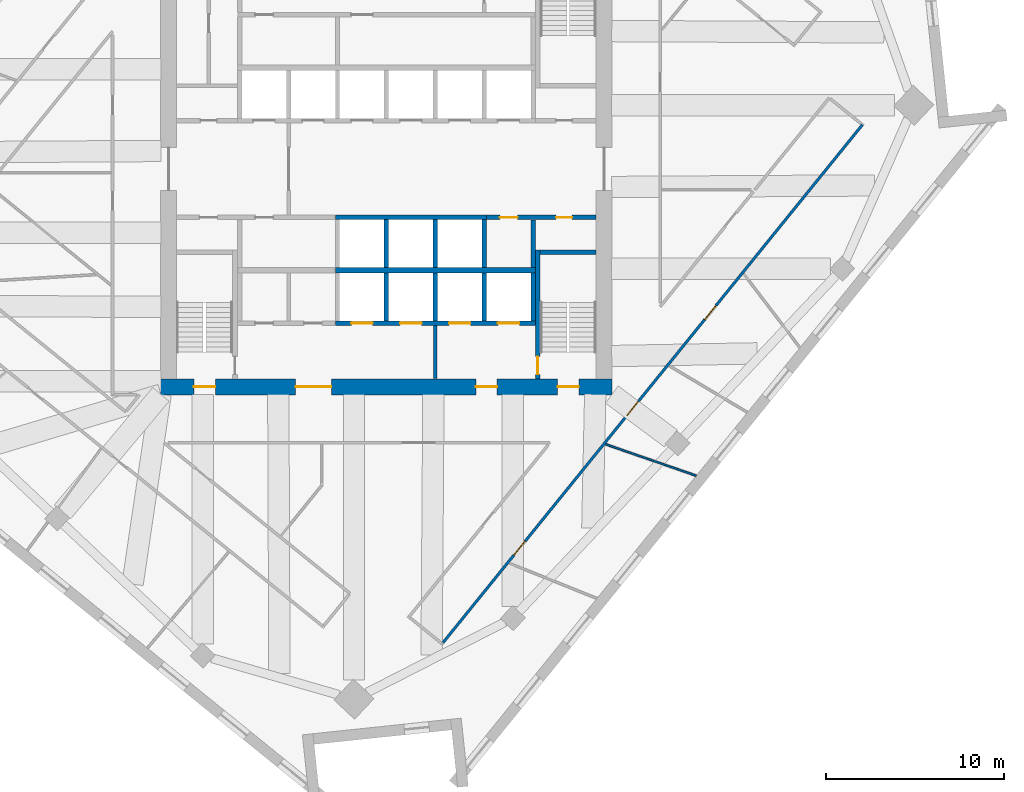
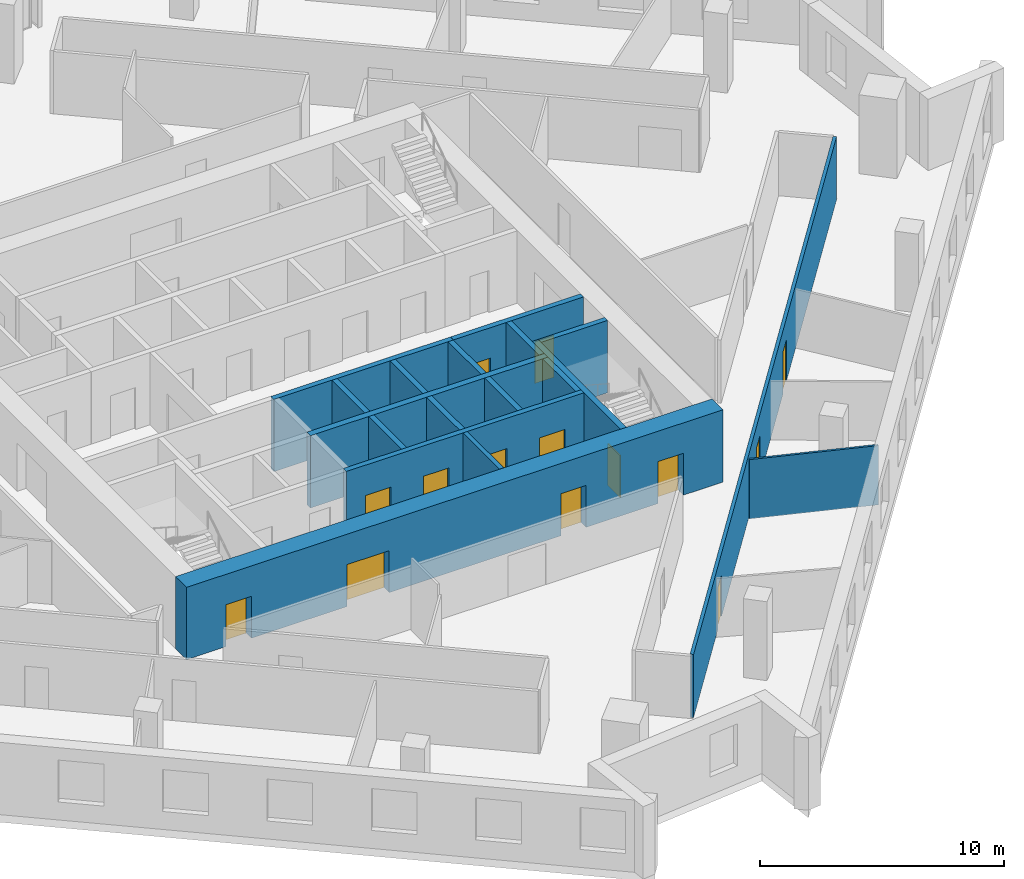
# One storey, part 8 of 14: 18 walls, 14 doors, 14 openings.
"""IFC4 building model written with IfcOpenShell, lengths in metres."""

from ifc_helpers import new_model, si_unit, direction, frame, frame_2d, origin, place, context, subcontext, project, spatial, rectangle, extrude, material, layer, layer_set, type_object, element, fill, save


model = new_model("IFC4")

# Units and contexts
model_context = context("Model", 3, precision=1e-05, world=origin(), true_north=direction((0.0, 1.0)))
body_context = subcontext(model_context, "Body", "Model", "MODEL_VIEW")
ifc_project = project(units=[si_unit("LENGTHUNIT", "METRE"), si_unit("AREAUNIT", "SQUARE_METRE"), si_unit("VOLUMEUNIT", "CUBIC_METRE"), si_unit("PLANEANGLEUNIT", "RADIAN"), si_unit("MASSUNIT", "GRAM", prefix="KILO")], contexts=[model_context])

# Site, building, storey
site_placement = place(None, origin())
site = spatial("IfcSite", under=ifc_project, at=site_placement, CompositionType="ELEMENT")
building_placement = place(site_placement, origin())
building = spatial("IfcBuilding", under=site, at=building_placement, Name="Dilmun Exchange Tower", CompositionType="ELEMENT")
storey_placement = place(building_placement, frame((0.0, 0.0, 225.300048828125)))
storey = spatial("IfcBuildingStorey", under=building, at=storey_placement, Name="L53", CompositionType="ELEMENT", Elevation=225.300048828125)

# Walls
ifc_material_1 = material(Name="Concrete C40/50", Category="concrete")
ifc_layer_1 = layer(ifc_material_1, 0.199951171875)
ifc_layer_set_1 = layer_set([ifc_layer_1], Name="Concrete C40/50")
wall_type_1 = type_object("IfcWallType", Name="Core partition wall 200", PredefinedType="PARTITIONING", material=ifc_layer_set_1)
wall_1_placement = place(storey_placement, frame((2.75, -11.794921875, 0.0), z_axis=(0.0, 0.0, 1.0), x_axis=(0.0, 1.0, 0.0)))
element("IfcWall", 1, at=wall_1_placement, inside=storey, type_object=wall_type_1, Name="L53 core partition wall 01", PredefinedType="PARTITIONING", context=body_context, shape_type="SweptSolid", body=[
    extrude(rectangle(XDim=2.989990234375, YDim=0.199951171875, at=frame_2d((1.4951171875, 0.0))), origin(), (0.0, 0.0, 1.0), 3.619873046875),
])
ifc_layer_2 = layer(ifc_material_1, 0.25)
ifc_layer_set_2 = layer_set([ifc_layer_2], Name="Concrete C40/50")
wall_type_2 = type_object("IfcWallType", Name="Core partition wall 250", PredefinedType="PARTITIONING", material=ifc_layer_set_2)
wall_2_placement = place(storey_placement, frame((8.25, -5.544921875, 0.0), z_axis=(0.0, 0.0, 1.0), x_axis=(0.0, 1.0, 0.0)))
element("IfcWall", 2, at=wall_2_placement, inside=storey, type_object=wall_type_2, Name="L53 core partition wall 07", PredefinedType="PARTITIONING", context=body_context, shape_type="SweptSolid", body=[
    extrude(rectangle(XDim=2.68994140625, YDim=0.25, at=frame_2d((1.344970703125, 0.0))), origin(), (0.0, 0.0, 1.0), 3.619873046875),
])

# Wall, openings, doors
wall_3_placement = place(storey_placement, frame((5.6298828125, -2.72509765625, 0.0), z_axis=(0.0, 0.0, 1.0), x_axis=(1.0, 0.0, 0.0)))
wall_3 = element("IfcWall", 3, at=wall_3_placement, inside=storey, type_object=wall_type_2, Name="L53 core partition wall 09", PredefinedType="PARTITIONING", context=body_context, shape_type="SweptSolid", body=[
    extrude(rectangle(XDim=6.1650390625, YDim=0.25, at=frame_2d((3.08251953125, 0.0))), origin(), (0.0, 0.0, 1.0), 3.619873046875),
])
opening_1_placement = place(wall_3_placement, frame((0.7451171875, 0.0, 0.0)))
opening_1 = element("IfcOpeningElement", 4, at=opening_1_placement, cuts=wall_3, Name="Opening CD4", PredefinedType="OPENING", context=body_context, shape_type="SweptSolid", body=[
    extrude(rectangle(XDim=1.0, YDim=2.10009765625, at=frame_2d((0.5, 1.050048828125))), frame((0.0, 0.135009765625, 0.0), z_axis=(0.0, -1.0, 0.0), x_axis=(1.0, 0.0, 0.0)), (0.0, 0.0, 1.0), 0.27001953125),
])
opening_2_placement = place(wall_3_placement, frame((3.919921875, 0.0, 0.0)))
opening_2 = element("IfcOpeningElement", 5, at=opening_2_placement, cuts=wall_3, Name="Opening CD6", PredefinedType="OPENING", context=body_context, shape_type="SweptSolid", body=[
    extrude(rectangle(XDim=0.89990234375, YDim=2.10009765625, at=frame_2d((0.449951171875, 1.050048828125))), frame((0.0, 0.135009765625, 0.0), z_axis=(0.0, -1.0, 0.0), x_axis=(1.0, 0.0, 0.0)), (0.0, 0.0, 1.0), 0.27001953125),
])
ifc_material_2 = material(Name="Fire-rated steel door set", Category="steel")
door_type_1 = type_object("IfcDoorType", Name="Core room door 1000x2100", OperationType="SINGLE_SWING_LEFT", PredefinedType="DOOR", material=ifc_material_2)
door_1_placement = place(opening_1_placement, origin())
door_1 = element("IfcDoor", 6, at=door_1_placement, inside=storey, type_object=door_type_1, Name="L53 door Cleaners' store", OperationType="SINGLE_SWING_RIGHT", OverallHeight=2.10009765625, OverallWidth=1.0, PredefinedType="DOOR", context=body_context, shape_type="SweptSolid", body=[
    extrude(rectangle(XDim=1.0, YDim=2.10009765625, at=frame_2d((0.5, 1.050048828125))), frame((0.0, 0.02490234375, 0.0), z_axis=(0.0, -1.0, 0.0), x_axis=(1.0, 0.0, 0.0)), (0.0, 0.0, 1.0), 0.050048828125),
])
fill(opening_1, door_1)
door_type_2 = type_object("IfcDoorType", Name="Core room door 900x2100", OperationType="SINGLE_SWING_LEFT", PredefinedType="DOOR", material=ifc_material_2)
door_2_placement = place(opening_2_placement, origin())
door_2 = element("IfcDoor", 7, at=door_2_placement, inside=storey, type_object=door_type_2, Name="L53 door Comms riser", OperationType="SINGLE_SWING_RIGHT", OverallHeight=2.10009765625, OverallWidth=0.89990234375, PredefinedType="DOOR", context=body_context, shape_type="SweptSolid", body=[
    extrude(rectangle(XDim=0.89990234375, YDim=2.10009765625, at=frame_2d((0.449951171875, 1.050048828125))), frame((0.0, 0.02490234375, 0.0), z_axis=(0.0, -1.0, 0.0), x_axis=(1.0, 0.0, 0.0)), (0.0, 0.0, 1.0), 0.050048828125),
])
fill(opening_2, door_2)

ifc_material_3 = material(Name="Concrete C60/75", Category="concrete")
ifc_layer_3 = layer(ifc_material_3, 0.89990234375)
ifc_layer_set_3 = layer_set([ifc_layer_3], Name="Concrete C60/75")
wall_type_3 = type_object("IfcWallType", Name="Core shear wall 900 Concrete C60/75", PredefinedType="SHEAR", material=ifc_layer_set_3)
wall_4_placement = place(storey_placement, frame((-12.699951171875, -12.25, 0.0), z_axis=(0.0, 0.0, 1.0), x_axis=(1.0, 0.0, 0.0)))
wall_4 = element("IfcWall", 8, at=wall_4_placement, inside=storey, type_object=wall_type_3, Name="L53 core shear wall S", PredefinedType="SHEAR", context=body_context, shape_type="SweptSolid", body=[
    extrude(rectangle(XDim=25.39990234375, YDim=0.89990234375, at=frame_2d((12.699951171875, 0.0))), origin(), (0.0, 0.0, 1.0), 3.619873046875),
])
opening_3_placement = place(wall_4_placement, frame((7.60009765625, 0.0, 0.0)))
opening_3 = element("IfcOpeningElement", 9, at=opening_3_placement, cuts=wall_4, Name="Opening CD2", PredefinedType="OPENING", context=body_context, shape_type="SweptSolid", body=[
    extrude(rectangle(XDim=2.0, YDim=2.10009765625, at=frame_2d((1.0, 1.050048828125))), frame((0.0, 0.4599609375, 0.0), z_axis=(0.0, -1.0, 0.0), x_axis=(1.0, 0.0, 0.0)), (0.0, 0.0, 1.0), 0.919921875),
])
opening_4_placement = place(wall_4_placement, frame((17.72509765625, 0.0, 0.0)))
opening_4 = element("IfcOpeningElement", 10, at=opening_4_placement, cuts=wall_4, Name="Opening CD3", PredefinedType="OPENING", context=body_context, shape_type="SweptSolid", body=[
    extrude(rectangle(XDim=1.199951171875, YDim=2.10009765625, at=frame_2d((0.60009765625, 1.050048828125))), frame((0.0, 0.4599609375, 0.0), z_axis=(0.0, -1.0, 0.0), x_axis=(1.0, 0.0, 0.0)), (0.0, 0.0, 1.0), 0.919921875),
])
opening_5_placement = place(wall_4_placement, frame((1.875, 0.0, 0.0)))
opening_5 = element("IfcOpeningElement", 11, at=opening_5_placement, cuts=wall_4, Name="Opening CD3", PredefinedType="OPENING", context=body_context, shape_type="SweptSolid", body=[
    extrude(rectangle(XDim=1.199951171875, YDim=2.10009765625, at=frame_2d((0.60009765625, 1.050048828125))), frame((0.0, 0.4599609375, 0.0), z_axis=(0.0, -1.0, 0.0), x_axis=(1.0, 0.0, 0.0)), (0.0, 0.0, 1.0), 0.919921875),
])
opening_6_placement = place(wall_4_placement, frame((22.324951171875, 0.0, 0.0)))
opening_6 = element("IfcOpeningElement", 12, at=opening_6_placement, cuts=wall_4, Name="Opening CD3", PredefinedType="OPENING", context=body_context, shape_type="SweptSolid", body=[
    extrude(rectangle(XDim=1.199951171875, YDim=2.10009765625, at=frame_2d((0.60009765625, 1.050048828125))), frame((0.0, 0.4599609375, 0.0), z_axis=(0.0, -1.0, 0.0), x_axis=(1.0, 0.0, 0.0)), (0.0, 0.0, 1.0), 0.919921875),
])
door_type_3 = type_object("IfcDoorType", Name="Core service door 2000x2100", OperationType="DOUBLE_DOOR_DOUBLE_SWING", PredefinedType="DOOR", material=ifc_material_2)
door_3_placement = place(opening_3_placement, origin())
door_3 = element("IfcDoor", 13, at=door_3_placement, inside=storey, type_object=door_type_3, Name="L53 door South service lobby", OperationType="SINGLE_SWING_LEFT", OverallHeight=2.10009765625, OverallWidth=2.0, PredefinedType="DOOR", context=body_context, shape_type="SweptSolid", body=[
    extrude(rectangle(XDim=2.0, YDim=2.10009765625, at=frame_2d((1.0, 1.050048828125))), frame((0.0, 0.02490234375, 0.0), z_axis=(0.0, -1.0, 0.0), x_axis=(1.0, 0.0, 0.0)), (0.0, 0.0, 1.0), 0.050048828125),
])
fill(opening_3, door_3)
door_type_4 = type_object("IfcDoorType", Name="Stair exit door 1200x2100", OperationType="SINGLE_SWING_LEFT", PredefinedType="DOOR", material=ifc_material_2)
door_4_placement = place(opening_4_placement, origin())
door_4 = element("IfcDoor", 14, at=door_4_placement, inside=storey, type_object=door_type_4, Name="L53 door Fire-fighting lobby", OperationType="SINGLE_SWING_LEFT", OverallHeight=2.10009765625, OverallWidth=1.199951171875, PredefinedType="DOOR", context=body_context, shape_type="SweptSolid", body=[
    extrude(rectangle(XDim=1.199951171875, YDim=2.10009765625, at=frame_2d((0.60009765625, 1.050048828125))), frame((0.0, 0.02490234375, 0.0), z_axis=(0.0, -1.0, 0.0), x_axis=(1.0, 0.0, 0.0)), (0.0, 0.0, 1.0), 0.050048828125),
])
fill(opening_4, door_4)
door_5_placement = place(opening_5_placement, origin())
door_5 = element("IfcDoor", 15, at=door_5_placement, inside=storey, type_object=door_type_4, Name="L53 door Stair ST2", OperationType="SINGLE_SWING_LEFT", OverallHeight=2.10009765625, OverallWidth=1.199951171875, PredefinedType="DOOR", context=body_context, shape_type="SweptSolid", body=[
    extrude(rectangle(XDim=1.199951171875, YDim=2.10009765625, at=frame_2d((0.60009765625, 1.050048828125))), frame((0.0, 0.02490234375, 0.0), z_axis=(0.0, -1.0, 0.0), x_axis=(1.0, 0.0, 0.0)), (0.0, 0.0, 1.0), 0.050048828125),
])
fill(opening_5, door_5)
door_6_placement = place(opening_6_placement, origin())
door_6 = element("IfcDoor", 16, at=door_6_placement, inside=storey, type_object=door_type_4, Name="L53 door Stair ST3", OperationType="SINGLE_SWING_LEFT", OverallHeight=2.10009765625, OverallWidth=1.199951171875, PredefinedType="DOOR", context=body_context, shape_type="SweptSolid", body=[
    extrude(rectangle(XDim=1.199951171875, YDim=2.10009765625, at=frame_2d((0.60009765625, 1.050048828125))), frame((0.0, 0.02490234375, 0.0), z_axis=(0.0, -1.0, 0.0), x_axis=(1.0, 0.0, 0.0)), (0.0, 0.0, 1.0), 0.050048828125),
])
fill(opening_6, door_6)

ifc_material_4 = material(Name="Corridor wall 150")
ifc_layer_4 = layer(ifc_material_4, 0.14990234375)
ifc_layer_set_4 = layer_set([ifc_layer_4], Name="Corridor wall 150")
wall_type_4 = type_object("IfcWallType", Name="Corridor wall 150", PredefinedType="PARTITIONING", material=ifc_layer_set_4)
wall_5_placement = place(storey_placement, frame((3.18017578125, -26.642578125, 0.0), z_axis=(0.0, 0.0, 1.0), x_axis=(0.629322822444, 0.777143992547, 0.0)))
wall_5 = element("IfcWall", 17, at=wall_5_placement, inside=storey, type_object=wall_type_4, Name="Corridor wall", PredefinedType="PARTITIONING", context=body_context, shape_type="SweptSolid", body=[
    extrude(rectangle(XDim=37.48291015625, YDim=0.14990234375, at=frame_2d((18.741455078125, 0.0))), origin(), (0.0, 0.0, 1.0), 3.169921875),
])
opening_7_placement = place(wall_5_placement, frame((6.346435546875, 0.0, 0.0)))
opening_7 = element("IfcOpeningElement", 18, at=opening_7_placement, cuts=wall_5, Name="Opening TF53-D16", PredefinedType="OPENING", context=body_context, shape_type="SweptSolid", body=[
    extrude(rectangle(XDim=1.0, YDim=2.10009765625, at=frame_2d((0.5, 1.050048828125))), frame((0.0, 0.0849609375, 0.0), z_axis=(0.0, -1.0, 0.0), x_axis=(1.0, 0.0, 0.0)), (0.0, 0.0, 1.0), 0.169921875),
])
opening_8_placement = place(wall_5_placement, frame((16.4521484375, 0.0, 0.0)))
opening_8 = element("IfcOpeningElement", 19, at=opening_8_placement, cuts=wall_5, Name="Opening TF53-D19", PredefinedType="OPENING", context=body_context, shape_type="SweptSolid", body=[
    extrude(rectangle(XDim=1.0, YDim=2.10009765625, at=frame_2d((0.5, 1.050048828125))), frame((0.0, 0.0849609375, 0.0), z_axis=(0.0, -1.0, 0.0), x_axis=(1.0, 0.0, 0.0)), (0.0, 0.0, 1.0), 0.169921875),
])
opening_9_placement = place(wall_5_placement, frame((23.399658203125, 0.0, 0.0)))
opening_9 = element("IfcOpeningElement", 20, at=opening_9_placement, cuts=wall_5, Name="Opening TF53-D21", PredefinedType="OPENING", context=body_context, shape_type="SweptSolid", body=[
    extrude(rectangle(XDim=1.0, YDim=2.10009765625, at=frame_2d((0.5, 1.050048828125))), frame((0.0, 0.0849609375, 0.0), z_axis=(0.0, -1.0, 0.0), x_axis=(1.0, 0.0, 0.0)), (0.0, 0.0, 1.0), 0.169921875),
])
ifc_material_5 = material(Name="Fire door 1000 x 2100")
door_type_5 = type_object("IfcDoorType", Name="Fire door 1000 x 2100", OperationType="NOTDEFINED", PredefinedType="DOOR", material=ifc_material_5)
door_7_placement = place(opening_7_placement, frame((1.0, 0.0, 0.0), z_axis=(0.0, 0.0, 1.0), x_axis=(-1.0, 0.0, 0.0)))
door_7 = element("IfcDoor", 21, at=door_7_placement, inside=storey, type_object=door_type_5, Name="Door TF53-D16", OperationType="SINGLE_SWING_RIGHT", OverallHeight=2.10009765625, OverallWidth=1.0, PredefinedType="DOOR", context=body_context, shape_type="SweptSolid", body=[
    extrude(rectangle(XDim=1.0, YDim=2.10009765625, at=frame_2d((0.5, 1.050048828125))), frame((0.0, 0.02490234375, 0.0), z_axis=(0.0, -1.0, 0.0), x_axis=(1.0, 0.0, 0.0)), (0.0, 0.0, 1.0), 0.050048828125),
])
fill(opening_7, door_7)
door_8_placement = place(opening_8_placement, frame((1.0, 0.0, 0.0), z_axis=(0.0, 0.0, 1.0), x_axis=(-1.0, 0.0, 0.0)))
door_8 = element("IfcDoor", 22, at=door_8_placement, inside=storey, type_object=door_type_5, Name="Door TF53-D19", OperationType="SINGLE_SWING_RIGHT", OverallHeight=2.10009765625, OverallWidth=1.0, PredefinedType="DOOR", context=body_context, shape_type="SweptSolid", body=[
    extrude(rectangle(XDim=1.0, YDim=2.10009765625, at=frame_2d((0.5, 1.050048828125))), frame((0.0, 0.02490234375, 0.0), z_axis=(0.0, -1.0, 0.0), x_axis=(1.0, 0.0, 0.0)), (0.0, 0.0, 1.0), 0.050048828125),
])
fill(opening_8, door_8)
door_9_placement = place(opening_9_placement, frame((1.0, 0.0, 0.0), z_axis=(0.0, 0.0, 1.0), x_axis=(-1.0, 0.0, 0.0)))
door_9 = element("IfcDoor", 23, at=door_9_placement, inside=storey, type_object=door_type_5, Name="Door TF53-D21", OperationType="SINGLE_SWING_LEFT", OverallHeight=2.10009765625, OverallWidth=1.0, PredefinedType="DOOR", context=body_context, shape_type="SweptSolid", body=[
    extrude(rectangle(XDim=1.0, YDim=2.10009765625, at=frame_2d((0.5, 1.050048828125))), frame((0.0, 0.02490234375, 0.0), z_axis=(0.0, -1.0, 0.0), x_axis=(1.0, 0.0, 0.0)), (0.0, 0.0, 1.0), 0.050048828125),
])
fill(opening_9, door_9)

# Walls
ifc_layer_5 = layer(ifc_material_1, 0.300048828125)
ifc_layer_set_5 = layer_set([ifc_layer_5], Name="Concrete C40/50")
wall_type_5 = type_object("IfcWallType", Name="Lift shaft shared wall 300", PredefinedType="SOLIDWALL", material=ifc_layer_set_5)
wall_6_placement = place(storey_placement, frame((-2.875, -5.699951171875, 0.0), z_axis=(0.0, 0.0, 1.0), x_axis=(1.0, 0.0, 0.0)))
element("IfcWall", 24, at=wall_6_placement, inside=storey, type_object=wall_type_5, Name="L53 lift shaft rear wall S", PredefinedType="SOLIDWALL", context=body_context, shape_type="SweptSolid", body=[
    extrude(rectangle(XDim=11.25, YDim=0.300048828125, at=frame_2d((5.625, 0.0))), origin(), (0.0, 0.0, 1.0), 3.619873046875),
])
ifc_layer_6 = layer(ifc_material_1, 0.25)
ifc_layer_set_6 = layer_set([ifc_layer_6], Name="Concrete C40/50")
wall_type_6 = type_object("IfcWallType", Name="Lift shaft wall 250", PredefinedType="SOLIDWALL", material=ifc_layer_set_6)
wall_7_placement = place(storey_placement, frame((-2.875, -2.72509765625, 0.0), z_axis=(0.0, 0.0, 1.0), x_axis=(1.0, 0.0, 0.0)))
element("IfcWall", 25, at=wall_7_placement, inside=storey, type_object=wall_type_6, Name="L53 lift shaft front wall S1", PredefinedType="SOLIDWALL", context=body_context, shape_type="SweptSolid", body=[
    extrude(rectangle(XDim=8.5, YDim=0.25, at=frame_2d((4.25, 0.0))), origin(), (0.0, 0.0, 1.0), 3.619873046875),
])
for number, where, z_axis, x_axis, name in (
    (26, (0.0, -5.550048828125, 0.0), (0.0, 0.0, 1.0), (0.0, 1.0, 0.0), "L53 lift shaft divider S13"),
    (27, (2.75, -5.550048828125, 0.0), (0.0, 0.0, 1.0), (0.0, 1.0, 0.0), "L53 lift shaft divider S14"),
    (28, (5.5, -5.550048828125, 0.0), (0.0, 0.0, 1.0), (0.0, 1.0, 0.0), "L53 lift shaft divider S15"),
):
    element("IfcWall", number, at=place(storey_placement, frame(where, z_axis=z_axis, x_axis=x_axis)), inside=storey, type_object=wall_type_6, Name=name, PredefinedType="SOLIDWALL", context=body_context, shape_type="SweptSolid", body=[
        extrude(rectangle(XDim=2.699951171875, YDim=0.25, at=frame_2d((1.35009765625, 0.0))), origin(), (0.0, 0.0, 1.0), 3.619873046875),
    ])

# Wall, openings, doors
wall_8_placement = place(storey_placement, frame((-2.875, -8.675048828125, 0.0), z_axis=(0.0, 0.0, 1.0), x_axis=(1.0, 0.0, 0.0)))
wall_8 = element("IfcWall", 29, at=wall_8_placement, inside=storey, type_object=wall_type_6, Name="L53 lift shaft front wall S2", PredefinedType="SOLIDWALL", context=body_context, shape_type="SweptSolid", body=[
    extrude(rectangle(XDim=11.25, YDim=0.25, at=frame_2d((5.625, 0.0))), origin(), (0.0, 0.0, 1.0), 3.619873046875),
])
opening_10_placement = place(wall_8_placement, frame((0.89990234375, 0.0, 0.0)))
opening_10 = element("IfcOpeningElement", 30, at=opening_10_placement, cuts=wall_8, Name="Opening LD", PredefinedType="OPENING", context=body_context, shape_type="SweptSolid", body=[
    extrude(rectangle(XDim=1.199951171875, YDim=2.10009765625, at=frame_2d((0.60009765625, 1.050048828125))), frame((0.0, 0.135009765625, 0.0), z_axis=(0.0, -1.0, 0.0), x_axis=(1.0, 0.0, 0.0)), (0.0, 0.0, 1.0), 0.27001953125),
])
opening_11_placement = place(wall_8_placement, frame((3.64990234375, 0.0, 0.0)))
opening_11 = element("IfcOpeningElement", 31, at=opening_11_placement, cuts=wall_8, Name="Opening LD", PredefinedType="OPENING", context=body_context, shape_type="SweptSolid", body=[
    extrude(rectangle(XDim=1.199951171875, YDim=2.10009765625, at=frame_2d((0.60009765625, 1.050048828125))), frame((0.0, 0.135009765625, 0.0), z_axis=(0.0, -1.0, 0.0), x_axis=(1.0, 0.0, 0.0)), (0.0, 0.0, 1.0), 0.27001953125),
])
opening_12_placement = place(wall_8_placement, frame((6.39990234375, 0.0, 0.0)))
opening_12 = element("IfcOpeningElement", 32, at=opening_12_placement, cuts=wall_8, Name="Opening LD", PredefinedType="OPENING", context=body_context, shape_type="SweptSolid", body=[
    extrude(rectangle(XDim=1.199951171875, YDim=2.10009765625, at=frame_2d((0.60009765625, 1.050048828125))), frame((0.0, 0.135009765625, 0.0), z_axis=(0.0, -1.0, 0.0), x_axis=(1.0, 0.0, 0.0)), (0.0, 0.0, 1.0), 0.27001953125),
])
opening_13_placement = place(wall_8_placement, frame((9.14990234375, 0.0, 0.0)))
opening_13 = element("IfcOpeningElement", 33, at=opening_13_placement, cuts=wall_8, Name="Opening LD", PredefinedType="OPENING", context=body_context, shape_type="SweptSolid", body=[
    extrude(rectangle(XDim=1.199951171875, YDim=2.10009765625, at=frame_2d((0.60009765625, 1.050048828125))), frame((0.0, 0.135009765625, 0.0), z_axis=(0.0, -1.0, 0.0), x_axis=(1.0, 0.0, 0.0)), (0.0, 0.0, 1.0), 0.27001953125),
])
door_type_6 = type_object("IfcDoorType", Name="Lift landing door 1200x2100", OperationType="DOUBLE_DOOR_SLIDING", PredefinedType="DOOR", material=ifc_material_2)
door_10_placement = place(opening_10_placement, origin())
door_10 = element("IfcDoor", 34, at=door_10_placement, inside=storey, type_object=door_type_6, Name="L53 landing door SV1", OperationType="DOUBLE_DOOR_SLIDING", OverallHeight=2.10009765625, OverallWidth=1.199951171875, PredefinedType="DOOR", context=body_context, shape_type="SweptSolid", body=[
    extrude(rectangle(XDim=1.199951171875, YDim=2.10009765625, at=frame_2d((0.60009765625, 1.050048828125))), frame((0.0, 0.02490234375, 0.0), z_axis=(0.0, -1.0, 0.0), x_axis=(1.0, 0.0, 0.0)), (0.0, 0.0, 1.0), 0.050048828125),
])
fill(opening_10, door_10)
door_11_placement = place(opening_11_placement, origin())
door_11 = element("IfcDoor", 35, at=door_11_placement, inside=storey, type_object=door_type_6, Name="L53 landing door SV2", OperationType="DOUBLE_DOOR_SLIDING", OverallHeight=2.10009765625, OverallWidth=1.199951171875, PredefinedType="DOOR", context=body_context, shape_type="SweptSolid", body=[
    extrude(rectangle(XDim=1.199951171875, YDim=2.10009765625, at=frame_2d((0.60009765625, 1.050048828125))), frame((0.0, 0.02490234375, 0.0), z_axis=(0.0, -1.0, 0.0), x_axis=(1.0, 0.0, 0.0)), (0.0, 0.0, 1.0), 0.050048828125),
])
fill(opening_11, door_11)
door_12_placement = place(opening_12_placement, origin())
door_12 = element("IfcDoor", 36, at=door_12_placement, inside=storey, type_object=door_type_6, Name="L53 landing door FF1", OperationType="DOUBLE_DOOR_SLIDING", OverallHeight=2.10009765625, OverallWidth=1.199951171875, PredefinedType="DOOR", context=body_context, shape_type="SweptSolid", body=[
    extrude(rectangle(XDim=1.199951171875, YDim=2.10009765625, at=frame_2d((0.60009765625, 1.050048828125))), frame((0.0, 0.02490234375, 0.0), z_axis=(0.0, -1.0, 0.0), x_axis=(1.0, 0.0, 0.0)), (0.0, 0.0, 1.0), 0.050048828125),
])
fill(opening_12, door_12)
door_13_placement = place(opening_13_placement, origin())
door_13 = element("IfcDoor", 37, at=door_13_placement, inside=storey, type_object=door_type_6, Name="L53 landing door FF2", OperationType="DOUBLE_DOOR_SLIDING", OverallHeight=2.10009765625, OverallWidth=1.199951171875, PredefinedType="DOOR", context=body_context, shape_type="SweptSolid", body=[
    extrude(rectangle(XDim=1.199951171875, YDim=2.10009765625, at=frame_2d((0.60009765625, 1.050048828125))), frame((0.0, 0.02490234375, 0.0), z_axis=(0.0, -1.0, 0.0), x_axis=(1.0, 0.0, 0.0)), (0.0, 0.0, 1.0), 0.050048828125),
])
fill(opening_13, door_13)

# Walls
for number, where, z_axis, x_axis, name in (
    (38, (0.0, -8.550048828125, 0.0), (0.0, 0.0, 1.0), (0.0, 1.0, 0.0), "L53 lift shaft divider S23"),
    (39, (2.75, -8.550048828125, 0.0), (0.0, 0.0, 1.0), (0.0, 1.0, 0.0), "L53 lift shaft divider S24"),
    (40, (5.5, -8.550048828125, 0.0), (0.0, 0.0, 1.0), (0.0, 1.0, 0.0), "L53 lift shaft divider S25"),
    (41, (8.25, -8.550048828125, 0.0), (0.0, 0.0, 1.0), (0.0, 1.0, 0.0), "L53 lift shaft divider S26"),
):
    element("IfcWall", number, at=place(storey_placement, frame(where, z_axis=z_axis, x_axis=x_axis)), inside=storey, type_object=wall_type_6, Name=name, PredefinedType="SOLIDWALL", context=body_context, shape_type="SweptSolid", body=[
        extrude(rectangle(XDim=2.699951171875, YDim=0.25, at=frame_2d((1.35009765625, 0.0))), origin(), (0.0, 0.0, 1.0), 3.619873046875),
    ])
ifc_material_6 = material(Name="Partition 100")
ifc_layer_7 = layer(ifc_material_6, 0.10009765625)
ifc_layer_set_7 = layer_set([ifc_layer_7], Name="Partition 100")
wall_type_7 = type_object("IfcWallType", Name="Partition 100", PredefinedType="PARTITIONING", material=ifc_layer_set_7)
wall_9_placement = place(storey_placement, frame((12.33642578125, -15.482177734375, 0.0), z_axis=(0.0, 0.0, 1.0), x_axis=(0.94462938415, -0.328139187845, 0.0)))
element("IfcWall", 42, at=wall_9_placement, inside=storey, type_object=wall_type_7, Name="Partition", PredefinedType="PARTITIONING", context=body_context, shape_type="SweptSolid", body=[
    extrude(rectangle(XDim=5.387451171875, YDim=0.10009765625, at=frame_2d((2.69384765625, 0.0))), origin(), (0.0, 0.0, 1.0), 2.969970703125),
])
ifc_layer_8 = layer(ifc_material_1, 0.25)
ifc_layer_set_8 = layer_set([ifc_layer_8], Name="Concrete C40/50")
wall_type_8 = type_object("IfcWallType", Name="Stair end wall 250", PredefinedType="SOLIDWALL", material=ifc_layer_set_8)
wall_10_placement = place(storey_placement, frame((8.64990234375, -4.675048828125, 0.0), z_axis=(0.0, 0.0, 1.0), x_axis=(1.0, 0.0, 0.0)))
element("IfcWall", 43, at=wall_10_placement, inside=storey, type_object=wall_type_8, Name="L53 ST3 far wall", PredefinedType="SOLIDWALL", context=body_context, shape_type="SweptSolid", body=[
    extrude(rectangle(XDim=3.150146484375, YDim=0.25, at=frame_2d((1.5751953125, 0.0))), origin(), (0.0, 0.0, 1.0), 3.619873046875),
])

# Wall, opening, door
ifc_layer_9 = layer(ifc_material_1, 0.27490234375)
ifc_layer_set_9 = layer_set([ifc_layer_9], Name="Concrete C40/50")
wall_type_9 = type_object("IfcWallType", Name="Stair wall 275", PredefinedType="SOLIDWALL", material=ifc_layer_set_9)
wall_11_placement = place(storey_placement, frame((8.512451171875, -4.550048828125, 0.0), z_axis=(0.0, 0.0, 1.0), x_axis=(0.0, -1.0, 0.0)))
wall_11 = element("IfcWall", 44, at=wall_11_placement, inside=storey, type_object=wall_type_9, Name="L53 ST3 wall to lift block", PredefinedType="SOLIDWALL", context=body_context, shape_type="SweptSolid", body=[
    extrude(rectangle(XDim=7.25, YDim=0.27490234375, at=frame_2d((3.625, 0.0))), origin(), (0.0, 0.0, 1.0), 3.619873046875),
])
opening_14_placement = place(wall_11_placement, frame((6.0, 0.0, 0.0)))
opening_14 = element("IfcOpeningElement", 45, at=opening_14_placement, cuts=wall_11, Name="Opening CD4", PredefinedType="OPENING", context=body_context, shape_type="SweptSolid", body=[
    extrude(rectangle(XDim=1.0, YDim=2.10009765625, at=frame_2d((0.5, 1.050048828125))), frame((0.0, 0.1474609375, 0.0), z_axis=(0.0, -1.0, 0.0), x_axis=(1.0, 0.0, 0.0)), (0.0, 0.0, 1.0), 0.294921875),
])
door_14_placement = place(opening_14_placement, origin())
door_14 = element("IfcDoor", 46, at=door_14_placement, inside=storey, type_object=door_type_1, Name="L53 door ST3 from lobby", OperationType="SINGLE_SWING_LEFT", OverallHeight=2.10009765625, OverallWidth=1.0, PredefinedType="DOOR", context=body_context, shape_type="SweptSolid", body=[
    extrude(rectangle(XDim=1.0, YDim=2.10009765625, at=frame_2d((0.5, 1.050048828125))), frame((0.0, 0.02490234375, 0.0), z_axis=(0.0, -1.0, 0.0), x_axis=(1.0, 0.0, 0.0)), (0.0, 0.0, 1.0), 0.050048828125),
])
fill(opening_14, door_14)

save(model, "model.ifc")
